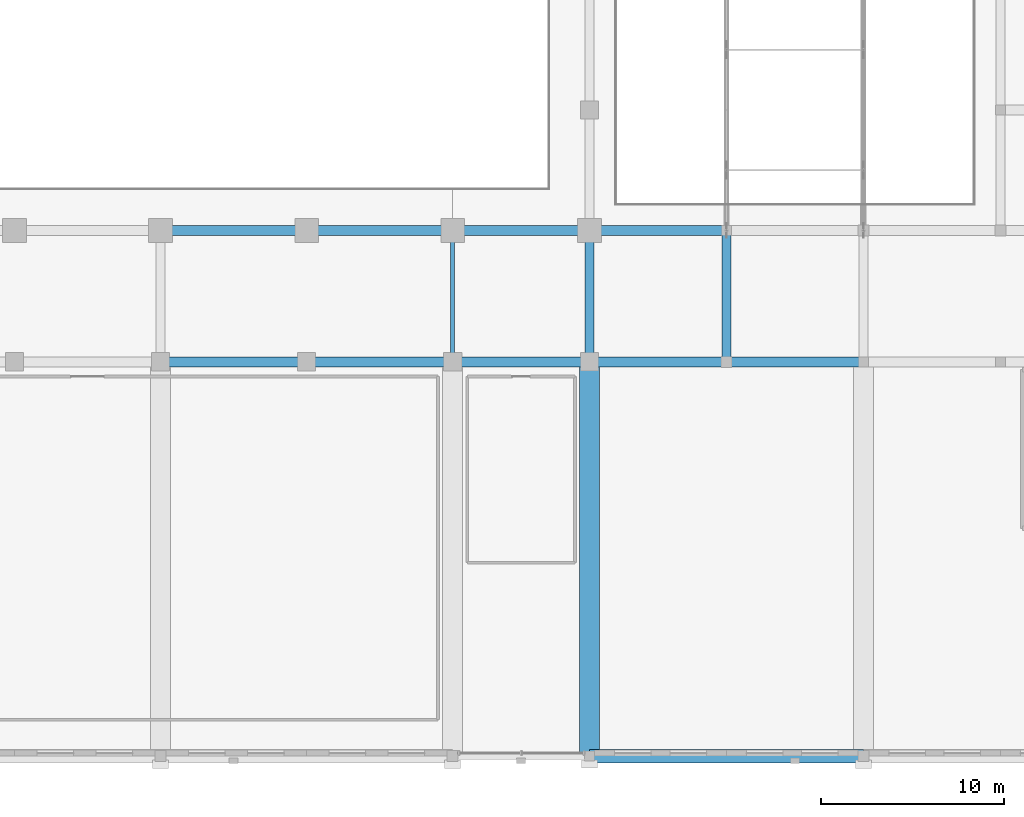
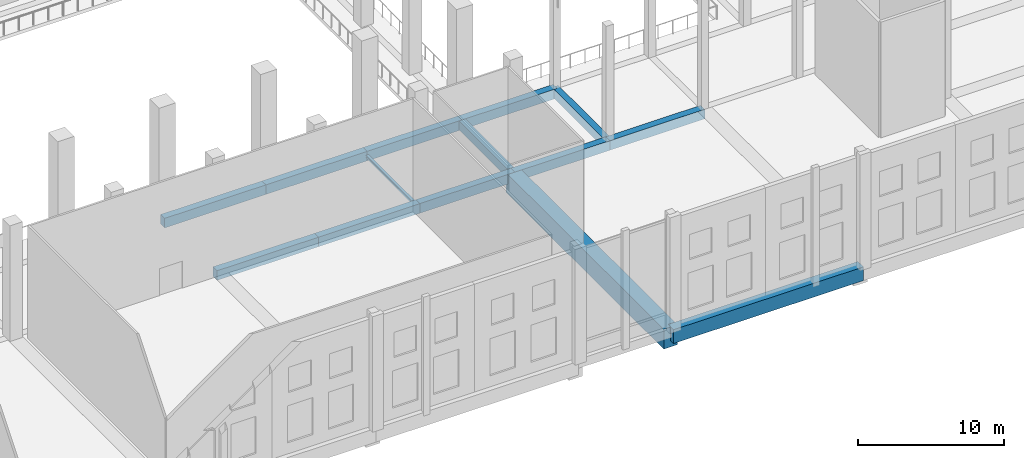
# One storey, part 27 of 80: 13 beams, 1 member.
"""IFC4 building model written with IfcOpenShell, lengths in metres."""

from ifc_helpers import new_model, si_unit, direction, frame, origin, origin_2d, place, context, subcontext, project, spatial, rectangle, i_section, extrude, material, material_profile, profile_set, type_object, element, save


model = new_model("IFC4")

# Units and contexts
model_context = context("Model", 3, precision=1e-05, world=origin(), true_north=direction((0.0, 1.0)))
body_context = subcontext(model_context, "Body", "Model", "MODEL_VIEW")
ifc_project = project(units=[si_unit("LENGTHUNIT", "METRE"), si_unit("AREAUNIT", "SQUARE_METRE"), si_unit("VOLUMEUNIT", "CUBIC_METRE"), si_unit("PLANEANGLEUNIT", "RADIAN"), si_unit("MASSUNIT", "GRAM", prefix="KILO")], contexts=[model_context])

# Site, building, storey
site_placement = place(None, origin())
site = spatial("IfcSite", under=ifc_project, at=site_placement, CompositionType="ELEMENT")
building_placement = place(site_placement, origin())
building = spatial("IfcBuilding", under=site, at=building_placement, Name="Akrevak Sports Hall", CompositionType="ELEMENT")
storey_placement = place(building_placement, frame((0.0, 0.0, 14.0)))
storey = spatial("IfcBuildingStorey", under=building, at=storey_placement, Name="L03", CompositionType="ELEMENT", Elevation=14.0)

# Beams
ifc_material_1 = material(Name="Concrete C50/60", Category="concrete")
ifc_material_profile_1 = material_profile(ifc_material_1, rectangle(XDim=1.10009765625, YDim=1.64990234375, at=origin_2d()), Name="BM 1100x1650", Category="concrete")
ifc_profile_set_1 = profile_set([ifc_material_profile_1], Name="Concrete C50/60")
beam_type_1 = type_object("IfcBeamType", Name="STR-BM-LG1100x1650", PredefinedType="BEAM", material=ifc_profile_set_1)
beam_1_placement = place(storey_placement, frame((115.5, 0.0, -0.824951171875), z_axis=(0.0, 1.0, 0.0), x_axis=(-1.0, 0.0, 0.0)))
element("IfcBeam", 1, at=beam_1_placement, inside=storey, type_object=beam_type_1, Name="Girder 16/A-D (L03)", PredefinedType="BEAM", context=body_context, shape_type="SweptSolid", body=[
    extrude(rectangle(XDim=1.10009765625, YDim=1.64990234375, at=origin_2d()), origin(), (0.0, 0.0, 1.0), 21.60009765625),
])
ifc_material_2 = material(Name="Concrete C40/50", Category="concrete")
ifc_material_profile_2 = material_profile(ifc_material_2, rectangle(XDim=0.5, YDim=0.75, at=origin_2d()), Name="BM 500x750", Category="concrete")
ifc_profile_set_2 = profile_set([ifc_material_profile_2], Name="Concrete C40/50")
beam_type_2 = type_object("IfcBeamType", Name="STR-BM-RC500x750", PredefinedType="BEAM", material=ifc_profile_set_2)
for number, where, z_axis, x_axis, name in (
    (2, (115.5, 21.60009765625, -0.375), (0.0, 1.0, 0.0), (-1.0, 0.0, 0.0), "Girder 16/D-E (L03)"),
    (3, (123.0, 21.60009765625, -0.375), (0.0, 1.0, 0.0), (-1.0, 0.0, 0.0), "Girder 17/D-E (L03)"),
):
    element("IfcBeam", number, at=place(storey_placement, frame(where, z_axis=z_axis, x_axis=x_axis)), inside=storey, type_object=beam_type_2, Name=name, PredefinedType="BEAM", context=body_context, shape_type="SweptSolid", body=[
        extrude(rectangle(XDim=0.5, YDim=0.75, at=origin_2d()), origin(), (0.0, 0.0, 1.0), 7.199951171875),
    ])
ifc_material_profile_3 = material_profile(ifc_material_2, rectangle(XDim=0.550048828125, YDim=0.800048828125, at=origin_2d()), Name="BM 550x800", Category="concrete")
ifc_profile_set_3 = profile_set([ifc_material_profile_3], Name="Concrete C40/50")
beam_type_3 = type_object("IfcBeamType", Name="STR-BM-RC550x800", PredefinedType="BEAM", material=ifc_profile_set_3)
for number, where, z_axis, x_axis, name in (
    (4, (92.0, 21.60009765625, -0.39990234375), (1.0, 0.0, 0.0), (0.0, 1.0, 0.0), "Girder D/13-14 (L03)"),
    (5, (100.0, 21.60009765625, -0.39990234375), (1.0, 0.0, 0.0), (0.0, 1.0, 0.0), "Girder D/14-15 (L03)"),
):
    element("IfcBeam", number, at=place(storey_placement, frame(where, z_axis=z_axis, x_axis=x_axis)), inside=storey, type_object=beam_type_3, Name=name, PredefinedType="BEAM", context=body_context, shape_type="SweptSolid", body=[
        extrude(rectangle(XDim=0.550048828125, YDim=0.800048828125, at=origin_2d()), origin(), (0.0, 0.0, 1.0), 8.0),
    ])
for number, where, z_axis, x_axis, name in (
    (6, (108.0, 21.60009765625, -0.39990234375), (1.0, 0.0, 0.0), (0.0, 1.0, 0.0), "Girder D/15-16 (L03)"),
    (7, (115.5, 21.60009765625, -0.39990234375), (1.0, 0.0, 0.0), (0.0, 1.0, 0.0), "Girder D/16-17 (L03)"),
    (8, (123.0, 21.60009765625, -0.39990234375), (1.0, 0.0, 0.0), (0.0, 1.0, 0.0), "Girder D/17-18 (L03)"),
):
    element("IfcBeam", number, at=place(storey_placement, frame(where, z_axis=z_axis, x_axis=x_axis)), inside=storey, type_object=beam_type_3, Name=name, PredefinedType="BEAM", context=body_context, shape_type="SweptSolid", body=[
        extrude(rectangle(XDim=0.550048828125, YDim=0.800048828125, at=origin_2d()), origin(), (0.0, 0.0, 1.0), 7.5),
    ])
for number, where, z_axis, x_axis, name in (
    (9, (92.0, 28.800048828125, -0.39990234375), (1.0, 0.0, 0.0), (0.0, 1.0, 0.0), "Girder E/13-14 (L03)"),
    (10, (100.0, 28.800048828125, -0.39990234375), (1.0, 0.0, 0.0), (0.0, 1.0, 0.0), "Girder E/14-15 (L03)"),
):
    element("IfcBeam", number, at=place(storey_placement, frame(where, z_axis=z_axis, x_axis=x_axis)), inside=storey, type_object=beam_type_3, Name=name, PredefinedType="BEAM", context=body_context, shape_type="SweptSolid", body=[
        extrude(rectangle(XDim=0.550048828125, YDim=0.800048828125, at=origin_2d()), origin(), (0.0, 0.0, 1.0), 8.0),
    ])
for number, where, z_axis, x_axis, name in (
    (11, (108.0, 28.800048828125, -0.39990234375), (1.0, 0.0, 0.0), (0.0, 1.0, 0.0), "Girder E/15-16 (L03)"),
    (12, (115.5, 28.800048828125, -0.39990234375), (1.0, 0.0, 0.0), (0.0, 1.0, 0.0), "Girder E/16-17 (L03)"),
):
    element("IfcBeam", number, at=place(storey_placement, frame(where, z_axis=z_axis, x_axis=x_axis)), inside=storey, type_object=beam_type_3, Name=name, PredefinedType="BEAM", context=body_context, shape_type="SweptSolid", body=[
        extrude(rectangle(XDim=0.550048828125, YDim=0.800048828125, at=origin_2d()), origin(), (0.0, 0.0, 1.0), 7.5),
    ])

# Member
ifc_material_3 = material(Name="Steel S355", Category="steel")
ifc_material_profile_4 = material_profile(ifc_material_3, i_section(OverallWidth=0.219970703125, OverallDepth=0.2099609375, WebThickness=0.007080078125, FlangeThickness=0.010986328125, FilletRadius=0.01806640625, at=origin_2d()), Name="HEA 220", Category="steel")
ifc_profile_set_4 = profile_set([ifc_material_profile_4], Name="Steel S355")
member_type = type_object("IfcMemberType", Name="STR-MEM-CHORD-HEA220", PredefinedType="CHORD", material=ifc_profile_set_4)
member_placement = place(storey_placement, frame((108.0, 21.60009765625, -0.39501953125), z_axis=(0.0, 1.0, 0.0), x_axis=(-1.0, 0.0, 0.0)))
element("IfcMember", 13, at=member_placement, inside=storey, type_object=member_type, Name="Arena Concourse Steel Girder 5", PredefinedType="CHORD", context=body_context, shape_type="SweptSolid", body=[
    extrude(i_section(OverallWidth=0.219970703125, OverallDepth=0.2099609375, WebThickness=0.007080078125, FlangeThickness=0.010986328125, FilletRadius=0.01806640625, at=origin_2d()), origin(), (0.0, 0.0, 1.0), 7.199951171875),
])

# Beam
ifc_material_profile_5 = material_profile(ifc_material_1, rectangle(XDim=0.75, YDim=1.14990234375, at=origin_2d()), Name="SPD 750x1150", Category="concrete")
ifc_profile_set_5 = profile_set([ifc_material_profile_5], Name="Concrete C50/60")
beam_type_4 = type_object("IfcBeamType", Name="STR-SPD-LSP750x1150", PredefinedType="SPANDREL", material=ifc_profile_set_5)
beam_2_placement = place(storey_placement, frame((115.5, 0.0, -0.574951171875), z_axis=(1.0, 0.0, 0.0), x_axis=(0.0, 1.0, 0.0)))
element("IfcBeam", 14, at=beam_2_placement, inside=storey, type_object=beam_type_4, Name="Girder A/16-18 (L03)", PredefinedType="SPANDREL", context=body_context, shape_type="SweptSolid", body=[
    extrude(rectangle(XDim=0.75, YDim=1.14990234375, at=origin_2d()), origin(), (0.0, 0.0, 1.0), 15.0),
])

save(model, "model.ifc")
